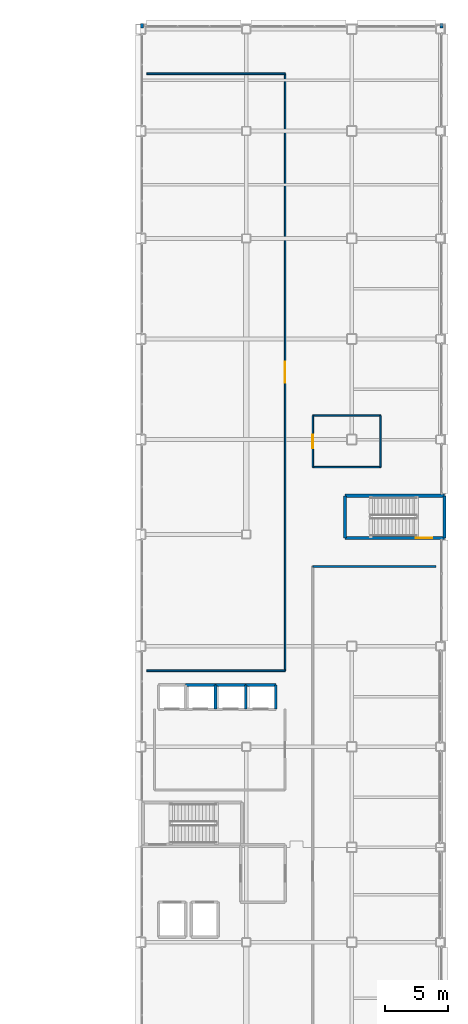
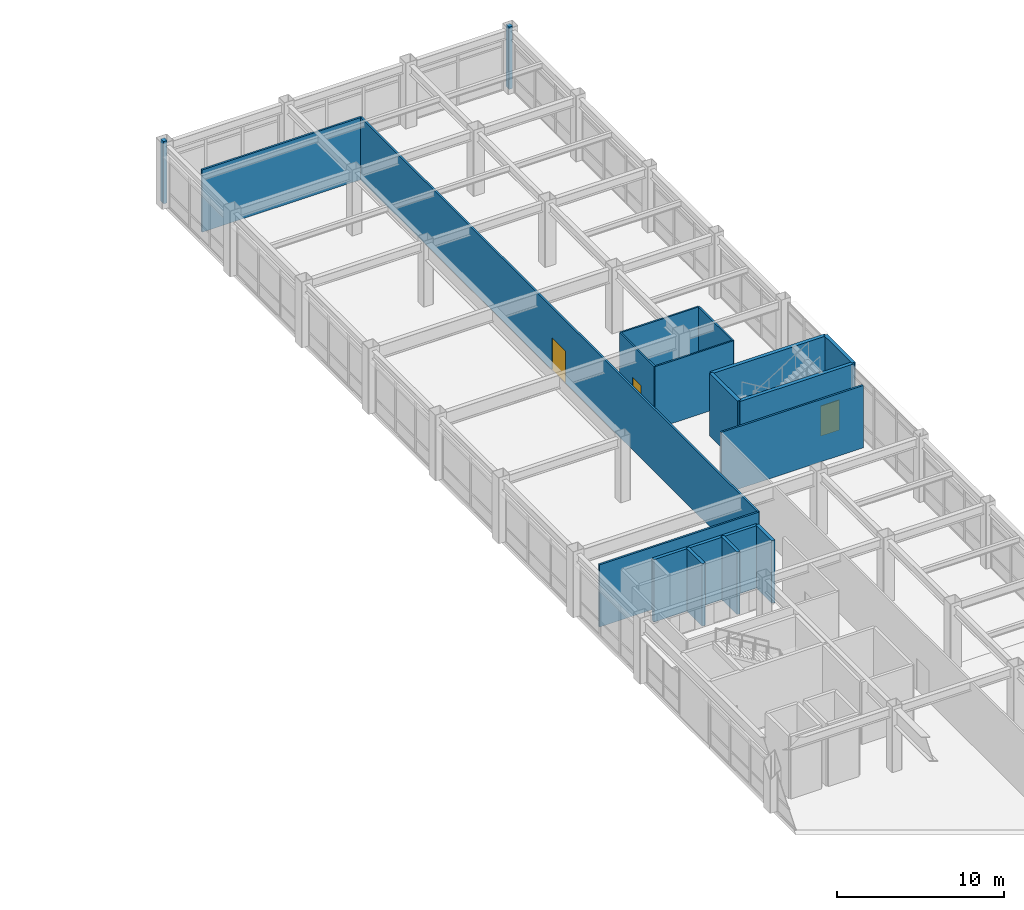
# One storey, part 137 of 154: 20 walls, 3 doors, 3 openings.
"""IFC4 building model written with IfcOpenShell, lengths in metres."""

import ifcopenshell
import ifcopenshell.guid

model = None  # the IFC model being written
_history = None  # IfcOwnerHistory: only IFC2X3 demands one
_inside = {}  # id of a spatial element -> (the spatial element, [elements in it])
_under = {}  # id of a project, library or spatial element -> (it, [spatial elements below it])
_declared = {}  # id of a project -> (the project, [libraries it declares])
_typed = {}  # id of a type object -> (the type object, [elements of that type])
_made_of = {}  # id of a material, layer set ... -> (it, [elements and type objects made of it])


def new_model(schema):
    """Start an empty IFC model of exactly this schema.

    Asked for "IFC4X3", IfcOpenShell would pick the latest addendum, in which some entities
    have other attributes; the version numbers below select the first issue.
    IFC2X3 requires an IfcOwnerHistory on every rooted entity: one is made here for all.
    """
    global model, _history
    if schema == "IFC4X3":
        model = ifcopenshell.file(schema_version=(4, 3, 0, 0))
    else:
        model = ifcopenshell.file(schema=schema)
    _inside.clear()
    _under.clear()
    _declared.clear()
    _typed.clear()
    _made_of.clear()
    _history = None
    if model.schema == "IFC2X3":
        org = make("IfcOrganization", Name="unknown")
        user = make(
            "IfcPersonAndOrganization",
            ThePerson=make("IfcPerson", FamilyName="unknown"),
            TheOrganization=org,
        )
        app = make(
            "IfcApplication",
            ApplicationDeveloper=org,
            Version="unknown",
            ApplicationFullName="unknown",
            ApplicationIdentifier="unknown",
        )
        _history = make(
            "IfcOwnerHistory",
            OwningUser=user,
            OwningApplication=app,
            ChangeAction="ADDED",
            CreationDate=0,
        )
    return model


def make(cls, **values):
    """One entity of the class cls with the attributes given. An attribute that is None is left unset."""
    return model.create_entity(
        cls, **{name: value for name, value in values.items() if value is not None}
    )


def rooted(cls, **values):
    """An entity with a GlobalId (a new one), such as an element, a storey or a relation."""
    return make(cls, GlobalId=ifcopenshell.guid.new(), OwnerHistory=_history, **values)


def si_unit(unit_type, name, prefix=None):
    """IfcSIUnit, for example si_unit("LENGTHUNIT", "METRE", prefix="MILLI")."""
    return make("IfcSIUnit", UnitType=unit_type, Prefix=prefix, Name=name)


def assignment(units):
    """IfcUnitAssignment: the units of a project."""
    return None if units is None else make("IfcUnitAssignment", Units=units)


def point(xyz):
    """IfcCartesianPoint."""
    return None if xyz is None else make("IfcCartesianPoint", Coordinates=xyz)


def direction(xyz):
    """IfcDirection."""
    return None if xyz is None else make("IfcDirection", DirectionRatios=xyz)


def frame(location, z_axis=None, x_axis=None):
    """IfcAxis2Placement3D, a coordinate frame: its origin and axes. An axis left out is left unset."""
    return make(
        "IfcAxis2Placement3D",
        Location=point(location),
        Axis=direction(z_axis),
        RefDirection=direction(x_axis),
    )


def frame_2d(location, x_axis=None):
    """IfcAxis2Placement2D, a coordinate frame in the plane: its origin and x axis."""
    return make(
        "IfcAxis2Placement2D", Location=point(location), RefDirection=direction(x_axis)
    )


def origin():
    """The frame at (0, 0, 0) with its axes left unset."""
    return frame((0.0, 0.0, 0.0))


def place(relative_to, where):
    """IfcLocalPlacement: puts the frame where relative to a parent placement (None: the world)."""
    return make(
        "IfcLocalPlacement", PlacementRelTo=relative_to, RelativePlacement=where
    )


def context(
    kind, dimensions, precision=None, world=None, true_north=None, identifier=None
):
    """IfcGeometricRepresentationContext, for example the 3D "Model" context."""
    return make(
        "IfcGeometricRepresentationContext",
        ContextIdentifier=identifier,
        ContextType=kind,
        CoordinateSpaceDimension=dimensions,
        Precision=precision,
        WorldCoordinateSystem=world,
        TrueNorth=true_north,
    )


def subcontext(parent, identifier, kind, view, scale=None):
    """IfcGeometricRepresentationSubContext, for example "Body" below "Model"."""
    return make(
        "IfcGeometricRepresentationSubContext",
        ContextIdentifier=identifier,
        ContextType=kind,
        ParentContext=parent,
        TargetScale=scale,
        TargetView=view,
    )


def project(units=None, contexts=None):
    """IfcProject with its units and contexts."""
    return rooted(
        "IfcProject",
        Name="project",
        RepresentationContexts=contexts,
        UnitsInContext=assignment(units),
    )


def spatial(cls, under=None, at=None, **own):
    """A site, building, storey or space (cls), placed at a placement, below another one or the project."""
    s = rooted(cls, ObjectPlacement=at, **own)
    if under is not None:
        _under.setdefault(under.id(), (under, []))[1].append(s)
    return s


def profile(cls, at=None, kind="AREA", **sizes):
    """A parametric profile (cls). Its sizes go by their IFC names, for example OverallWidth=200.0."""
    return make(cls, ProfileType=kind, Position=at, **sizes)


def rectangle(**sizes):
    """IfcRectangleProfileDef."""
    return profile("IfcRectangleProfileDef", **sizes)


def extrude(swept, where, along, depth):
    """IfcExtrudedAreaSolid: the profile swept, set in the frame where, extruded along a direction by depth."""
    return make(
        "IfcExtrudedAreaSolid",
        SweptArea=swept,
        Position=where,
        ExtrudedDirection=direction(along),
        Depth=depth,
    )


def shape(context_of_items, identifier, shape_type, items):
    """IfcShapeRepresentation: the items that make up one representation, for example the "Body"."""
    return make(
        "IfcShapeRepresentation",
        ContextOfItems=context_of_items,
        RepresentationIdentifier=identifier,
        RepresentationType=shape_type,
        Items=items,
    )


def material(Name=None, Category=None):
    """IfcMaterial."""
    return make("IfcMaterial", Name=Name, Category=Category)


def layer(
    of_material, thickness, ventilated=None, Name=None, Category=None, Priority=None
):
    """IfcMaterialLayer: one layer of a wall or slab, of a material (None: an air gap)."""
    return make(
        "IfcMaterialLayer",
        Material=of_material,
        LayerThickness=thickness,
        IsVentilated=ventilated,
        Name=Name,
        Category=Category,
        Priority=Priority,
    )


def layer_set(layers, Name=None):
    """IfcMaterialLayerSet."""
    return make("IfcMaterialLayerSet", MaterialLayers=layers, LayerSetName=Name)


def made_of(thing, what):
    """Note that an element or type object is made of a material, layer set ...; save() writes the relation."""
    if what is not None:
        _made_of.setdefault(what.id(), (what, []))[1].append(thing)
    return thing


def type_object(cls, material=None, **own):
    """A type object (cls), such as IfcWallType, which elements share."""
    return made_of(rooted(cls, **own), material)


def element(
    cls,
    number,
    at=None,
    inside=None,
    cuts=None,
    type_object=None,
    material=None,
    context=None,
    identifier="Body",
    shape_type=None,
    held_by="IfcProductDefinitionShape",
    body=None,
    shapes=None,
    **own,
):
    """One element of the class cls, such as IfcWall. Its Tag is "e" and its number.

    at: its placement. inside: the storey or other place that contains it. cuts: it is an
    opening in that element (IfcRelVoidsElement). A single representation is given by context,
    identifier, shape_type and body (its items); several are given by shapes. held_by: the class
    of the entity that holds the representations. save() writes the other relations.
    """
    e = rooted(cls, Tag="e%d" % number, ObjectPlacement=at, **own)
    if body is not None:
        shapes = [shape(context, identifier, shape_type, body)]
    if shapes is not None:
        e.Representation = make(held_by, Representations=shapes)
    if inside is not None:
        _inside.setdefault(inside.id(), (inside, []))[1].append(e)
    if cuts is not None:
        rooted(
            "IfcRelVoidsElement", RelatingBuildingElement=cuts, RelatedOpeningElement=e
        )
    if type_object is not None:
        _typed.setdefault(type_object.id(), (type_object, []))[1].append(e)
    return made_of(e, material)


def fill(opening, filler):
    """IfcRelFillsElement: the door or window that sits in an opening."""
    return rooted(
        "IfcRelFillsElement",
        RelatingOpeningElement=opening,
        RelatedBuildingElement=filler,
    )


def aggregate(whole, parts):
    """IfcRelAggregates: a whole, such as a stair, and the parts it consists of."""
    return rooted("IfcRelAggregates", RelatingObject=whole, RelatedObjects=parts)


def save(model, path):
    """Write the relations noted so far, then the file.

    IfcRelAggregates (storeys below a building ...), IfcRelContainedInSpatialStructure (elements
    in a storey), IfcRelDefinesByType, IfcRelAssociatesMaterial and IfcRelDeclares: one each for
    every whole, place, type object, material and project.
    """
    for whole, parts in _under.values():
        aggregate(whole, parts)
    for where, things in _inside.values():
        rooted(
            "IfcRelContainedInSpatialStructure",
            RelatedElements=things,
            RelatingStructure=where,
        )
    for kind, things in _typed.values():
        rooted("IfcRelDefinesByType", RelatedObjects=things, RelatingType=kind)
    for what, things in _made_of.values():
        rooted("IfcRelAssociatesMaterial", RelatedObjects=things, RelatingMaterial=what)
    for by, libraries in _declared.values():
        rooted("IfcRelDeclares", RelatingContext=by, RelatedDefinitions=libraries)
    model.write(path)


model = new_model("IFC4")

# Units and contexts
model_context = context("Model", 3, precision=1e-05, world=origin(), true_north=direction((0.0, 1.0)))
body_context = subcontext(model_context, "Body", "Model", "MODEL_VIEW")
ifc_project = project(units=[si_unit("LENGTHUNIT", "METRE"), si_unit("AREAUNIT", "SQUARE_METRE"), si_unit("VOLUMEUNIT", "CUBIC_METRE"), si_unit("PLANEANGLEUNIT", "RADIAN"), si_unit("MASSUNIT", "GRAM", prefix="KILO")], contexts=[model_context])

# Site, building, storey
site_placement = place(None, origin())
site = spatial("IfcSite", under=ifc_project, at=site_placement, CompositionType="ELEMENT")
building_placement = place(site_placement, origin())
building = spatial("IfcBuilding", under=site, at=building_placement, Name="Kazehara Bluff Congress Hotel", CompositionType="ELEMENT")
storey_placement = place(building_placement, frame((0.0, 0.0, 10.199951171875)))
storey = spatial("IfcBuildingStorey", under=building, at=storey_placement, Name="L02", CompositionType="ELEMENT", Elevation=10.199951171875)

# Walls
ifc_material_1 = material(Name="Concrete C40/50", Category="concrete")
ifc_layer_1 = layer(ifc_material_1, 0.25)
ifc_layer_set_1 = layer_set([ifc_layer_1], Name="Concrete C40/50")
wall_type_1 = type_object("IfcWallType", Name="TP-CW-RC", PredefinedType="SHEAR", material=ifc_layer_set_1)
for number, where, z_axis, x_axis, name in (
    (1, (167.875, 76.425048828125, 0.0), (0.0, 0.0, 1.0), (0.0, -1.0, 0.0), "L02 ST-12 core wall near"),
    (2, (159.97509765625, 73.074951171875, 0.0), (0.0, 0.0, 1.0), (0.0, 1.0, 0.0), "L02 ST-12 core wall far"),
):
    element("IfcWall", number, at=place(storey_placement, frame(where, z_axis=z_axis, x_axis=x_axis)), inside=storey, type_object=wall_type_1, Name=name, PredefinedType="SHEAR", context=body_context, shape_type="SweptSolid", body=[
        extrude(rectangle(XDim=3.35009765625, YDim=0.25, at=frame_2d((1.675048828125, 0.0))), origin(), (0.0, 0.0, 1.0), 4.56005859375),
    ])
wall_1_placement = place(storey_placement, frame((159.97509765625, 76.425048828125, 0.0), z_axis=(0.0, 0.0, 1.0), x_axis=(1.0, 0.0, 0.0)))
element("IfcWall", 3, at=wall_1_placement, inside=storey, type_object=wall_type_1, Name="L02 ST-12 core wall left", PredefinedType="SHEAR", context=body_context, shape_type="SweptSolid", body=[
    extrude(rectangle(XDim=7.89990234375, YDim=0.25, at=frame_2d((3.949951171875, 0.0))), origin(), (0.0, 0.0, 1.0), 4.56005859375),
])

# Wall, opening, door
wall_2_placement = place(storey_placement, frame((167.875, 73.074951171875, 0.0), z_axis=(0.0, 0.0, 1.0), x_axis=(-1.0, 0.0, 0.0)))
wall_2 = element("IfcWall", 4, at=wall_2_placement, inside=storey, type_object=wall_type_1, Name="L02 ST-12 core wall right", PredefinedType="SHEAR", context=body_context, shape_type="SweptSolid", body=[
    extrude(rectangle(XDim=7.89990234375, YDim=0.25, at=frame_2d((3.949951171875, 0.0))), origin(), (0.0, 0.0, 1.0), 4.56005859375),
])
opening_1_placement = place(wall_2_placement, frame((0.985107421875, 0.0, 0.0)))
opening_1 = element("IfcOpeningElement", 5, at=opening_1_placement, cuts=wall_2, Name="Opening FD-01", PredefinedType="OPENING", context=body_context, shape_type="SweptSolid", body=[
    extrude(rectangle(XDim=1.300048828125, YDim=2.199951171875, at=frame_2d((0.64990234375, 1.10009765625))), frame((0.0, 0.135009765625, 0.0), z_axis=(0.0, -1.0, 0.0), x_axis=(1.0, 0.0, 0.0)), (0.0, 0.0, 1.0), 0.27001953125),
])
ifc_material_2 = material(Name="Fire-rated painted steel leaf", Category="steel")
door_type_1 = type_object("IfcDoorType", Name="TP-FD-01", OperationType="NOTDEFINED", PredefinedType="DOOR", material=ifc_material_2)
door_1_placement = place(opening_1_placement, origin())
door_1 = element("IfcDoor", 6, at=door_1_placement, inside=storey, type_object=door_type_1, Name="L02 ST-12 fire stair door", OperationType="SINGLE_SWING_RIGHT", OverallHeight=2.199951171875, OverallWidth=1.300048828125, PredefinedType="DOOR", context=body_context, shape_type="SweptSolid", body=[
    extrude(rectangle(XDim=1.300048828125, YDim=2.199951171875, at=frame_2d((0.64990234375, 1.10009765625))), frame((0.0, 0.02490234375, 0.0), z_axis=(0.0, -1.0, 0.0), x_axis=(1.0, 0.0, 0.0)), (0.0, 0.0, 1.0), 0.050048828125),
])
fill(opening_1, door_1)

# Walls
ifc_material_3 = material(Name="Precast concrete C40/50", Category="concrete")
ifc_layer_2 = layer(ifc_material_3, 0.239990234375)
ifc_layer_set_2 = layer_set([ifc_layer_2], Name="Precast concrete C40/50")
wall_type_2 = type_object("IfcWallType", Name="TP-EW-240", PredefinedType="SOLIDWALL", material=ifc_layer_set_2)
for number, where, z_axis, x_axis, name in (
    (7, (167.64990234375, 114.0, 0.0), (0.0, 0.0, 1.0), (0.0, -1.0, 0.0), "L02 V5 perimeter spandrel pier 665"),
    (8, (143.800048828125, 113.639892578125, 0.0), (0.0, 0.0, 1.0), (0.0, 1.0, 0.0), "L02 V5 perimeter spandrel pier 666"),
):
    element("IfcWall", number, at=place(storey_placement, frame(where, z_axis=z_axis, x_axis=x_axis)), inside=storey, type_object=wall_type_2, Name=name, PredefinedType="SOLIDWALL", context=body_context, shape_type="SweptSolid", body=[
        extrude(rectangle(XDim=0.360107421875, YDim=0.239990234375, at=frame_2d((0.18017578125, 0.0))), origin(), (0.0, 0.0, 1.0), 4.545166015625),
    ])
ifc_material_4 = material(Name="Fire-rated gypsum board stud partition")
ifc_layer_3 = layer(ifc_material_4, 0.110107421875)
ifc_layer_set_3 = layer_set([ifc_layer_3], Name="Fire-rated gypsum board stud partition")
wall_type_3 = type_object("IfcWallType", Name="TP-PT-110", PredefinedType="PARTITIONING", material=ifc_layer_set_3)
for number, where, z_axis, x_axis, name in (
    (9, (157.39990234375, 78.699951171875, 0.0), (0.0, 0.0, 1.0), (1.0, 0.0, 0.0), "L02 partition PT-110 210"),
    (10, (157.39990234375, 82.800048828125, 0.0), (0.0, 0.0, 1.0), (1.0, 0.0, 0.0), "L02 partition PT-110 211"),
):
    element("IfcWall", number, at=place(storey_placement, frame(where, z_axis=z_axis, x_axis=x_axis)), inside=storey, type_object=wall_type_3, Name=name, PredefinedType="PARTITIONING", context=body_context, shape_type="SweptSolid", body=[
        extrude(rectangle(XDim=5.400146484375, YDim=0.110107421875, at=frame_2d((2.7001953125, 0.0))), origin(), (0.0, 0.0, 1.0), 4.545166015625),
    ])

# Wall, opening, door
wall_3_placement = place(storey_placement, frame((157.39990234375, 78.699951171875, 0.0), z_axis=(0.0, 0.0, 1.0), x_axis=(0.0, 1.0, 0.0)))
wall_3 = element("IfcWall", 11, at=wall_3_placement, inside=storey, type_object=wall_type_3, Name="L02 partition PT-110 244", PredefinedType="PARTITIONING", context=body_context, shape_type="SweptSolid", body=[
    extrude(rectangle(XDim=4.10009765625, YDim=0.110107421875, at=frame_2d((2.050048828125, 0.0))), origin(), (0.0, 0.0, 1.0), 4.545166015625),
])
opening_2_placement = place(wall_3_placement, frame((1.52490234375, 0.0, 0.0)))
opening_2 = element("IfcOpeningElement", 12, at=opening_2_placement, cuts=wall_3, Name="Opening ID-02", PredefinedType="OPENING", context=body_context, shape_type="SweptSolid", body=[
    extrude(rectangle(XDim=1.050048828125, YDim=2.199951171875, at=frame_2d((0.52490234375, 1.10009765625))), frame((0.0, 0.06494140625, 0.0), z_axis=(0.0, -1.0, 0.0), x_axis=(1.0, 0.0, 0.0)), (0.0, 0.0, 1.0), 0.130126953125),
])
ifc_material_5 = material(Name="Architectural oak veneer leaf")
door_type_2 = type_object("IfcDoorType", Name="TP-ID-02", OperationType="NOTDEFINED", PredefinedType="DOOR", material=ifc_material_5)
door_2_placement = place(opening_2_placement, origin())
door_2 = element("IfcDoor", 13, at=door_2_placement, inside=storey, type_object=door_type_2, Name="L02 L02 Hotel Public Accessible WC door", OperationType="SINGLE_SWING_LEFT", OverallHeight=2.199951171875, OverallWidth=1.050048828125, PredefinedType="DOOR", context=body_context, shape_type="SweptSolid", body=[
    extrude(rectangle(XDim=1.050048828125, YDim=2.199951171875, at=frame_2d((0.52490234375, 1.10009765625))), frame((0.0, 0.02490234375, 0.0), z_axis=(0.0, -1.0, 0.0), x_axis=(1.0, 0.0, 0.0)), (0.0, 0.0, 1.0), 0.050048828125),
])
fill(opening_2, door_2)

# Walls
wall_4_placement = place(storey_placement, frame((162.800048828125, 78.699951171875, 0.0), z_axis=(0.0, 0.0, 1.0), x_axis=(0.0, 1.0, 0.0)))
element("IfcWall", 14, at=wall_4_placement, inside=storey, type_object=wall_type_3, Name="L02 partition PT-110 245", PredefinedType="PARTITIONING", context=body_context, shape_type="SweptSolid", body=[
    extrude(rectangle(XDim=4.10009765625, YDim=0.110107421875, at=frame_2d((2.050048828125, 0.0))), origin(), (0.0, 0.0, 1.0), 4.545166015625),
])
ifc_material_6 = material(Name="Fire-rated gypsum board stud partition")
ifc_layer_4 = layer(ifc_material_6, 0.1298828125)
ifc_layer_set_4 = layer_set([ifc_layer_4], Name="Fire-rated gypsum board stud partition")
wall_type_4 = type_object("IfcWallType", Name="TP-PT-130", PredefinedType="PARTITIONING", material=ifc_layer_set_4)
wall_5_placement = place(storey_placement, frame((144.199951171875, 62.5, 0.0), z_axis=(0.0, 0.0, 1.0), x_axis=(1.0, 0.0, 0.0)))
element("IfcWall", 15, at=wall_5_placement, inside=storey, type_object=wall_type_4, Name="L02 partition PT-130 208", PredefinedType="PARTITIONING", context=body_context, shape_type="SweptSolid", body=[
    extrude(rectangle(XDim=11.0, YDim=0.1298828125, at=frame_2d((5.5, 0.0))), origin(), (0.0, 0.0, 1.0), 4.545166015625),
])
wall_6_placement = place(storey_placement, frame((157.39990234375, 70.800048828125, 0.0), z_axis=(0.0, 0.0, 1.0), x_axis=(1.0, 0.0, 0.0)))
element("IfcWall", 16, at=wall_6_placement, inside=storey, type_object=wall_type_4, Name="L02 partition PT-130 209", PredefinedType="PARTITIONING", context=body_context, shape_type="SweptSolid", body=[
    extrude(rectangle(XDim=9.800048828125, YDim=0.1298828125, at=frame_2d((4.89990234375, 0.0))), origin(), (0.0, 0.0, 1.0), 4.545166015625),
])
wall_7_placement = place(storey_placement, frame((144.199951171875, 110.0, 0.0), z_axis=(0.0, 0.0, 1.0), x_axis=(1.0, 0.0, 0.0)))
element("IfcWall", 17, at=wall_7_placement, inside=storey, type_object=wall_type_4, Name="L02 partition PT-130 221", PredefinedType="PARTITIONING", context=body_context, shape_type="SweptSolid", body=[
    extrude(rectangle(XDim=11.0, YDim=0.1298828125, at=frame_2d((5.5, 0.0))), origin(), (0.0, 0.0, 1.0), 4.545166015625),
])

# Wall, opening, door
wall_8_placement = place(storey_placement, frame((155.199951171875, 62.5, 0.0), z_axis=(0.0, 0.0, 1.0), x_axis=(0.0, 1.0, 0.0)))
wall_8 = element("IfcWall", 18, at=wall_8_placement, inside=storey, type_object=wall_type_4, Name="L02 partition PT-130 242", PredefinedType="PARTITIONING", context=body_context, shape_type="SweptSolid", body=[
    extrude(rectangle(XDim=47.5, YDim=0.1298828125, at=frame_2d((23.75, 0.0))), origin(), (0.0, 0.0, 1.0), 4.545166015625),
])
opening_3_placement = place(wall_8_placement, frame((22.925048828125, 0.0, 0.0)))
opening_3 = element("IfcOpeningElement", 19, at=opening_3_placement, cuts=wall_8, Name="Opening AD-04", PredefinedType="OPENING", context=body_context, shape_type="SweptSolid", body=[
    extrude(rectangle(XDim=1.64990234375, YDim=2.35009765625, at=frame_2d((0.824951171875, 1.175048828125))), frame((0.0, 0.074951171875, 0.0), z_axis=(0.0, -1.0, 0.0), x_axis=(1.0, 0.0, 0.0)), (0.0, 0.0, 1.0), 0.14990234375),
])
ifc_material_7 = material(Name="Architectural oak veneer leaf")
door_type_3 = type_object("IfcDoorType", Name="TP-AD-04", OperationType="DOUBLE_DOOR_SINGLE_SWING", PredefinedType="DOOR", material=ifc_material_7)
door_3_placement = place(opening_3_placement, origin())
door_3 = element("IfcDoor", 20, at=door_3_placement, inside=storey, type_object=door_type_3, Name="L02 Bluff Overlook Art Gallery Lounge door", OperationType="DOUBLE_DOOR_SINGLE_SWING", OverallHeight=2.35009765625, OverallWidth=1.64990234375, PredefinedType="DOOR", context=body_context, shape_type="SweptSolid", body=[
    extrude(rectangle(XDim=1.64990234375, YDim=2.35009765625, at=frame_2d((0.824951171875, 1.175048828125))), frame((0.0, 0.02490234375, 0.0), z_axis=(0.0, -1.0, 0.0), x_axis=(1.0, 0.0, 0.0)), (0.0, 0.0, 1.0), 0.050048828125),
])
fill(opening_3, door_3)

# Walls
ifc_material_8 = material(Name="Concrete C40/50", Category="concrete")
ifc_layer_5 = layer(ifc_material_8, 0.219970703125)
ifc_layer_set_5 = layer_set([ifc_layer_5], Name="Concrete C40/50")
wall_type_5 = type_object("IfcWallType", Name="TP-SW-RC", PredefinedType="SHEAR", material=ifc_layer_set_5)
wall_9_placement = place(storey_placement, frame((147.260009765625, 61.360107421875, 0.0), z_axis=(0.0, 0.0, 1.0), x_axis=(1.0, 0.0, 0.0)))
element("IfcWall", 21, at=wall_9_placement, inside=storey, type_object=wall_type_5, Name="L02 EL-P2 lift shaft wall +Y", PredefinedType="SHEAR", context=body_context, shape_type="SweptSolid", body=[
    extrude(rectangle(XDim=2.39990234375, YDim=0.219970703125, at=frame_2d((1.199951171875, 0.0))), origin(), (0.0, 0.0, 1.0), 4.56005859375),
])
wall_10_placement = place(storey_placement, frame((149.659912109375, 59.43994140625, 0.0), z_axis=(0.0, 0.0, 1.0), x_axis=(0.0, 1.0, 0.0)))
element("IfcWall", 22, at=wall_10_placement, inside=storey, type_object=wall_type_5, Name="L02 EL-P2 lift shaft wall +X", PredefinedType="SHEAR", context=body_context, shape_type="SweptSolid", body=[
    extrude(rectangle(XDim=1.920166015625, YDim=0.219970703125, at=frame_2d((0.9599609375, 0.0))), origin(), (0.0, 0.0, 1.0), 4.56005859375),
])
wall_11_placement = place(storey_placement, frame((149.659912109375, 61.360107421875, 0.0), z_axis=(0.0, 0.0, 1.0), x_axis=(1.0, 0.0, 0.0)))
element("IfcWall", 23, at=wall_11_placement, inside=storey, type_object=wall_type_5, Name="L02 EL-P3 lift shaft wall +Y", PredefinedType="SHEAR", context=body_context, shape_type="SweptSolid", body=[
    extrude(rectangle(XDim=2.400146484375, YDim=0.219970703125, at=frame_2d((1.2001953125, 0.0))), origin(), (0.0, 0.0, 1.0), 4.56005859375),
])
wall_12_placement = place(storey_placement, frame((152.06005859375, 59.43994140625, 0.0), z_axis=(0.0, 0.0, 1.0), x_axis=(0.0, 1.0, 0.0)))
element("IfcWall", 24, at=wall_12_placement, inside=storey, type_object=wall_type_5, Name="L02 EL-P3 lift shaft wall +X", PredefinedType="SHEAR", context=body_context, shape_type="SweptSolid", body=[
    extrude(rectangle(XDim=1.920166015625, YDim=0.219970703125, at=frame_2d((0.9599609375, 0.0))), origin(), (0.0, 0.0, 1.0), 4.56005859375),
])
wall_13_placement = place(storey_placement, frame((152.06005859375, 61.360107421875, 0.0), z_axis=(0.0, 0.0, 1.0), x_axis=(1.0, 0.0, 0.0)))
element("IfcWall", 25, at=wall_13_placement, inside=storey, type_object=wall_type_5, Name="L02 EL-P4 lift shaft wall +Y", PredefinedType="SHEAR", context=body_context, shape_type="SweptSolid", body=[
    extrude(rectangle(XDim=2.39990234375, YDim=0.219970703125, at=frame_2d((1.199951171875, 0.0))), origin(), (0.0, 0.0, 1.0), 4.56005859375),
])
wall_14_placement = place(storey_placement, frame((154.4599609375, 59.43994140625, 0.0), z_axis=(0.0, 0.0, 1.0), x_axis=(0.0, 1.0, 0.0)))
element("IfcWall", 26, at=wall_14_placement, inside=storey, type_object=wall_type_5, Name="L02 EL-P4 lift shaft wall +X", PredefinedType="SHEAR", context=body_context, shape_type="SweptSolid", body=[
    extrude(rectangle(XDim=1.920166015625, YDim=0.219970703125, at=frame_2d((0.9599609375, 0.0))), origin(), (0.0, 0.0, 1.0), 4.56005859375),
])

save(model, "model.ifc")
